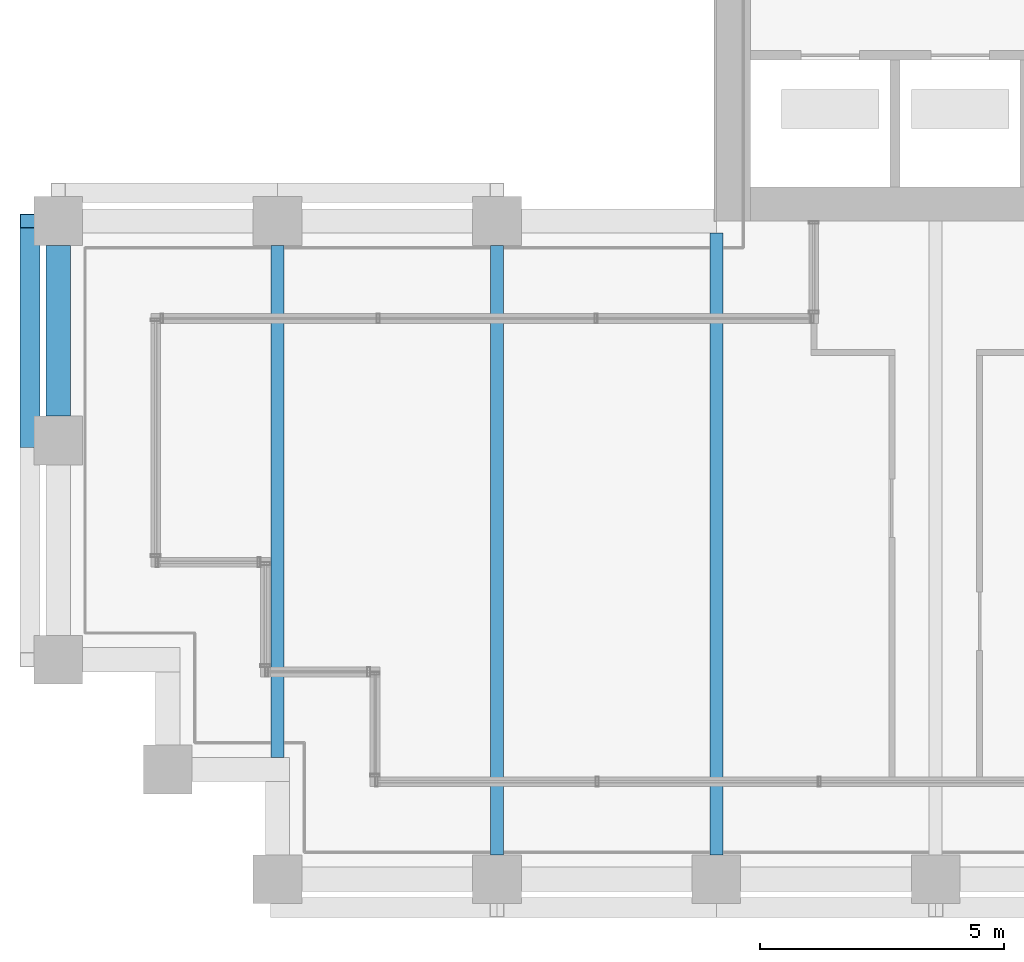
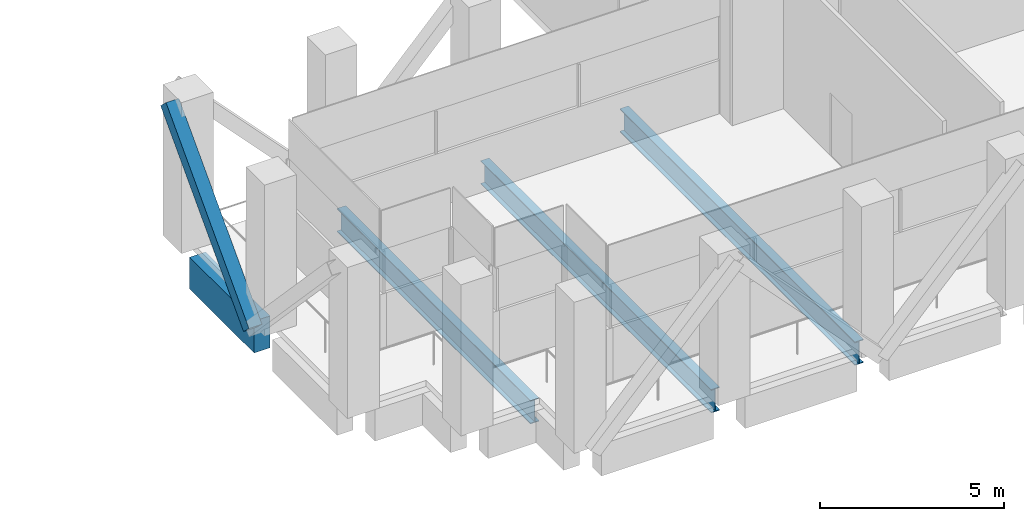
# One storey, part 3 of 48: 4 beams, 1 member.
"""IFC4 building model written with IfcOpenShell, lengths in metres."""

from ifc_helpers import new_model, si_unit, direction, frame, origin, origin_2d, place, context, subcontext, project, spatial, rectangle, hollow_rectangle, i_section, extrude, material, material_profile, profile_set, type_object, element, save


model = new_model("IFC4")

# Units and contexts
model_context = context("Model", 3, precision=1e-05, world=origin(), true_north=direction((0.0, 1.0)))
body_context = subcontext(model_context, "Body", "Model", "MODEL_VIEW")
ifc_project = project(units=[si_unit("LENGTHUNIT", "METRE"), si_unit("AREAUNIT", "SQUARE_METRE"), si_unit("VOLUMEUNIT", "CUBIC_METRE"), si_unit("PLANEANGLEUNIT", "RADIAN"), si_unit("MASSUNIT", "GRAM", prefix="KILO")], contexts=[model_context])

# Site, building, storey
site_placement = place(None, origin())
site = spatial("IfcSite", under=ifc_project, at=site_placement, CompositionType="ELEMENT")
building_placement = place(site_placement, origin())
building = spatial("IfcBuilding", under=site, at=building_placement, Name="Altepetl Exchange Towers", CompositionType="ELEMENT")
storey_placement = place(building_placement, frame((0.0, 0.0, 138.800048828125)))
storey = spatial("IfcBuildingStorey", under=building, at=storey_placement, Name="L34 Refuge and sky lobby", CompositionType="ELEMENT", Elevation=138.800048828125)

# Member
ifc_material_1 = material(Name="Steel S355", Category="steel")
ifc_material_profile_1 = material_profile(ifc_material_1, hollow_rectangle(XDim=0.406005859375, YDim=0.406005859375, WallThickness=0.014892578125, at=origin_2d()), Name="HSS406X406X15.9")
ifc_profile_set_1 = profile_set([ifc_material_profile_1], Name="Steel S355")
member_type = type_object("IfcMemberType", Name="Belt diagonal HSS406X406X15.9", PredefinedType="BRACE", material=ifc_profile_set_1)
member_placement = place(storey_placement, frame((26.419921875, 40.5, 4.75), z_axis=(0.0, -0.687744647911, -0.725952683906), x_axis=(1.0, 0.0, 0.0)))
element("IfcMember", 1, at=member_placement, inside=storey, type_object=member_type, Name="brc:A:L34:023", PredefinedType="BRACE", context=body_context, shape_type="SweptSolid", body=[
    extrude(hollow_rectangle(XDim=0.406005859375, YDim=0.406005859375, WallThickness=0.014892578125, at=origin_2d()), origin(), (0.0, 0.0, 1.0), 6.543212890625),
])

# Beams
ifc_material_profile_2 = material_profile(ifc_material_1, i_section(OverallWidth=0.26806640625, OverallDepth=0.77392578125, WebThickness=0.015380859375, FlangeThickness=0.025390625, at=origin_2d()), Name="W30X132")
ifc_profile_set_2 = profile_set([ifc_material_profile_2], Name="Steel S355")
beam_type_1 = type_object("IfcBeamType", Name="Floor beam W30X132", PredefinedType="BEAM", material=ifc_profile_set_2)
beam_1_placement = place(storey_placement, frame((31.5, 29.5, -0.587158203125), z_axis=(0.0, 1.0, 0.0), x_axis=(-1.0, 0.0, 0.0)))
element("IfcBeam", 2, at=beam_1_placement, inside=storey, type_object=beam_type_1, Name="bm:A:L34:012", PredefinedType="BEAM", context=body_context, shape_type="SweptSolid", body=[
    extrude(i_section(OverallWidth=0.26806640625, OverallDepth=0.77392578125, WebThickness=0.015380859375, FlangeThickness=0.025390625, at=origin_2d()), origin(), (0.0, 0.0, 1.0), 10.5),
])
beam_2_placement = place(storey_placement, frame((36.0, 27.5, -0.587158203125), z_axis=(0.0, 1.0, 0.0), x_axis=(-1.0, 0.0, 0.0)))
element("IfcBeam", 3, at=beam_2_placement, inside=storey, type_object=beam_type_1, Name="bm:A:L34:013", PredefinedType="BEAM", context=body_context, shape_type="SweptSolid", body=[
    extrude(i_section(OverallWidth=0.26806640625, OverallDepth=0.77392578125, WebThickness=0.015380859375, FlangeThickness=0.025390625, at=origin_2d()), origin(), (0.0, 0.0, 1.0), 12.5),
])
beam_3_placement = place(storey_placement, frame((40.5, 27.5, -0.587158203125), z_axis=(0.0, 1.0, 0.0), x_axis=(-1.0, 0.0, 0.0)))
element("IfcBeam", 4, at=beam_3_placement, inside=storey, type_object=beam_type_1, Name="bm:A:L34:014", PredefinedType="BEAM", context=body_context, shape_type="SweptSolid", body=[
    extrude(i_section(OverallWidth=0.26806640625, OverallDepth=0.77392578125, WebThickness=0.015380859375, FlangeThickness=0.025390625, at=origin_2d()), origin(), (0.0, 0.0, 1.0), 12.75),
])
ifc_material_2 = material(Name="Concrete C50/60 precast with cantera blanca facing", Category="concrete")
ifc_material_profile_3 = material_profile(ifc_material_2, rectangle(XDim=0.5, YDim=1.050048828125, at=origin_2d()), Name="500 x 1050")
ifc_profile_set_3 = profile_set([ifc_material_profile_3], Name="Concrete C50/60 precast with cantera blanca facing")
beam_type_2 = type_object("IfcBeamType", Name="Spandrel beam 500x1050 cantera blanca", PredefinedType="SPANDREL", material=ifc_profile_set_3)
beam_4_placement = place(storey_placement, frame((27.0, 40.0, -0.72509765625), z_axis=(0.0, -1.0, 0.0), x_axis=(1.0, 0.0, 0.0)))
element("IfcBeam", 5, at=beam_4_placement, inside=storey, type_object=beam_type_2, Name="sp:A:L34:036", PredefinedType="SPANDREL", context=body_context, shape_type="SweptSolid", body=[
    extrude(rectangle(XDim=0.5, YDim=1.050048828125, at=origin_2d()), origin(), (0.0, 0.0, 1.0), 3.5),
])

save(model, "model.ifc")
